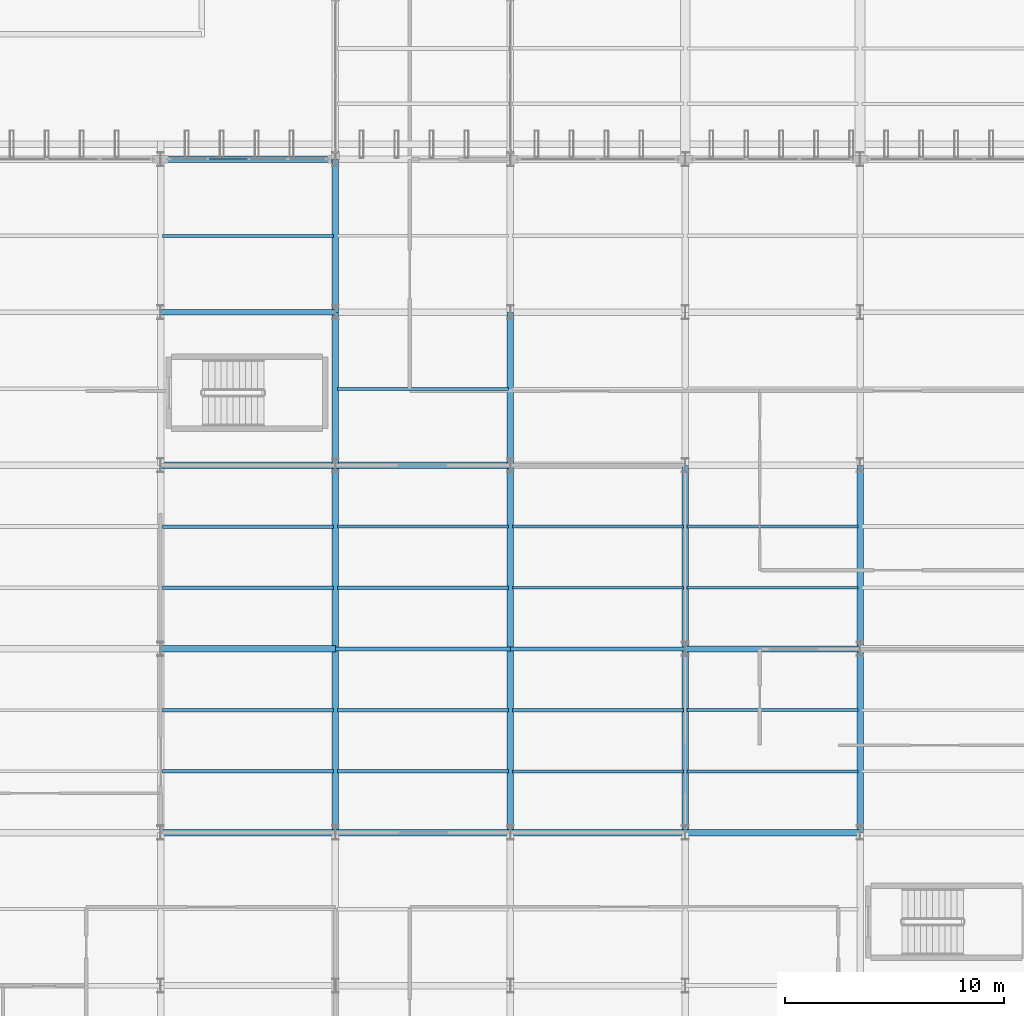
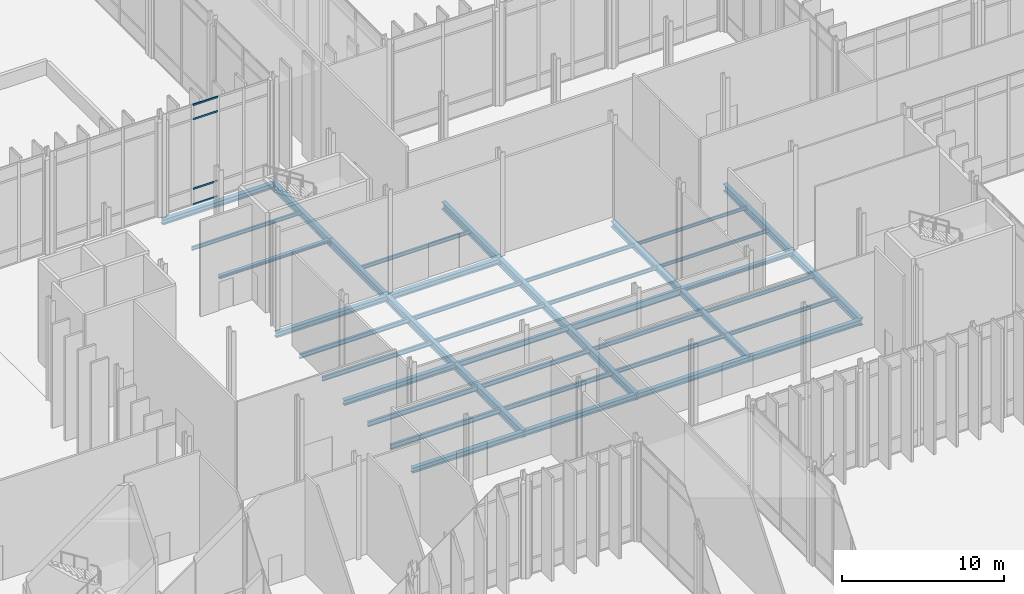
# One storey, part 62 of 176: 41 beams, 4 members, 1 element without a shape of its own.
"""IFC4 building model written with IfcOpenShell, lengths in metres."""

from ifc_helpers import new_model, si_unit, direction, frame, origin, origin_2d, place, context, subcontext, project, spatial, hollow_rectangle, i_section, extrude, material, layer, layer_set, material_profile, profile_set, type_object, element, aggregate, save


model = new_model("IFC4")

# Units and contexts
model_context = context("Model", 3, precision=1e-05, world=origin(), true_north=direction((0.0, 1.0)))
body_context = subcontext(model_context, "Body", "Model", "MODEL_VIEW")
ifc_project = project(units=[si_unit("LENGTHUNIT", "METRE"), si_unit("AREAUNIT", "SQUARE_METRE"), si_unit("VOLUMEUNIT", "CUBIC_METRE"), si_unit("PLANEANGLEUNIT", "RADIAN"), si_unit("MASSUNIT", "GRAM", prefix="KILO")], contexts=[model_context])

# Site, building, storey
site_placement = place(None, origin())
site = spatial("IfcSite", under=ifc_project, at=site_placement, CompositionType="ELEMENT")
building_placement = place(site_placement, origin())
building = spatial("IfcBuilding", under=site, at=building_placement, Name="Vekula Escarpment Museum", CompositionType="ELEMENT")
storey_placement = place(building_placement, origin())
storey = spatial("IfcBuildingStorey", under=building, at=storey_placement, Name="L01", CompositionType="ELEMENT", Elevation=0.0)

# Beams
ifc_material_1 = material(Name="Steel S355", Category="steel")
ifc_material_profile_1 = material_profile(ifc_material_1, i_section(OverallWidth=0.280029296875, OverallDepth=0.280029296875, WebThickness=0.010498046875, FlangeThickness=0.01806640625, FilletRadius=0.02392578125, at=origin_2d()), Name="HEB 280")
ifc_profile_set_1 = profile_set([ifc_material_profile_1], Name="Steel S355")
beam_type_1 = type_object("IfcBeamType", Name="BM-GIRD-HEB280", PredefinedType="BEAM", material=ifc_profile_set_1)
beam_1_placement = place(storey_placement, frame((110.0, 68.0, -0.43994140625), z_axis=(1.0, 0.0, 0.0), x_axis=(0.0, 1.0, 0.0)))
element("IfcBeam", 1, at=beam_1_placement, inside=storey, type_object=beam_type_1, Name="Beam X L01 0197", PredefinedType="BEAM", context=body_context, shape_type="SweptSolid", body=[
    extrude(i_section(OverallWidth=0.280029296875, OverallDepth=0.280029296875, WebThickness=0.010498046875, FlangeThickness=0.01806640625, FilletRadius=0.02392578125, at=origin_2d()), origin(), (0.0, 0.0, 1.0), 8.0),
])
ifc_material_2 = material(Name="Steel S355", Category="steel")
ifc_material_profile_2 = material_profile(ifc_material_2, i_section(OverallWidth=0.300048828125, OverallDepth=0.39990234375, WebThickness=0.013427734375, FlangeThickness=0.02392578125, FilletRadius=0.027099609375, at=origin_2d()), Name="HEB 400")
ifc_profile_set_2 = profile_set([ifc_material_profile_2], Name="Steel S355")
beam_type_2 = type_object("IfcBeamType", Name="BM-GIRD-HEB400", PredefinedType="BEAM", material=ifc_profile_set_2)
beam_2_placement = place(storey_placement, frame((86.0, 68.0, -0.5), z_axis=(1.0, 0.0, 0.0), x_axis=(0.0, 1.0, 0.0)))
element("IfcBeam", 2, at=beam_2_placement, inside=storey, type_object=beam_type_2, Name="Beam X L01 0194", PredefinedType="BEAM", context=body_context, shape_type="SweptSolid", body=[
    extrude(i_section(OverallWidth=0.300048828125, OverallDepth=0.39990234375, WebThickness=0.013427734375, FlangeThickness=0.02392578125, FilletRadius=0.027099609375, at=origin_2d()), origin(), (0.0, 0.0, 1.0), 8.0),
])
ifc_material_3 = material(Name="Steel S355", Category="steel")
ifc_material_profile_3 = material_profile(ifc_material_3, i_section(OverallWidth=0.300048828125, OverallDepth=0.550048828125, WebThickness=0.014892578125, FlangeThickness=0.029052734375, FilletRadius=0.027099609375, at=origin_2d()), Name="HEB 550")
ifc_profile_set_3 = profile_set([ifc_material_profile_3], Name="Steel S355")
beam_type_3 = type_object("IfcBeamType", Name="BM-GIRD-HEB550", PredefinedType="BEAM", material=ifc_profile_set_3)
for number, where, z_axis, x_axis, name in (
    (3, (94.0, 59.60009765625, -0.574951171875), (0.0, 1.0, 0.0), (-1.0, 0.0, 0.0), "Beam Y L01 0584"),
    (4, (94.0, 68.0, -0.574951171875), (0.0, 1.0, 0.0), (-1.0, 0.0, 0.0), "Beam Y L01 0585"),
):
    element("IfcBeam", number, at=place(storey_placement, frame(where, z_axis=z_axis, x_axis=x_axis)), inside=storey, type_object=beam_type_3, Name=name, PredefinedType="BEAM", context=body_context, shape_type="SweptSolid", body=[
        extrude(i_section(OverallWidth=0.300048828125, OverallDepth=0.550048828125, WebThickness=0.014892578125, FlangeThickness=0.029052734375, FilletRadius=0.027099609375, at=origin_2d()), origin(), (0.0, 0.0, 1.0), 8.39990234375),
    ])
for number, where, z_axis, x_axis, name in (
    (5, (94.0, 76.39990234375, -0.574951171875), (0.0, 1.0, 0.0), (-1.0, 0.0, 0.0), "Beam Y L01 0586"),
    (6, (94.0, 83.39990234375, -0.574951171875), (0.0, 1.0, 0.0), (-1.0, 0.0, 0.0), "Beam Y L01 0587"),
):
    element("IfcBeam", number, at=place(storey_placement, frame(where, z_axis=z_axis, x_axis=x_axis)), inside=storey, type_object=beam_type_3, Name=name, PredefinedType="BEAM", context=body_context, shape_type="SweptSolid", body=[
        extrude(i_section(OverallWidth=0.300048828125, OverallDepth=0.550048828125, WebThickness=0.014892578125, FlangeThickness=0.029052734375, FilletRadius=0.027099609375, at=origin_2d()), origin(), (0.0, 0.0, 1.0), 7.0),
    ])
for number, where, z_axis, x_axis, name in (
    (7, (102.0, 59.60009765625, -0.574951171875), (0.0, 1.0, 0.0), (-1.0, 0.0, 0.0), "Beam Y L01 0602"),
    (8, (102.0, 68.0, -0.574951171875), (0.0, 1.0, 0.0), (-1.0, 0.0, 0.0), "Beam Y L01 0603"),
):
    element("IfcBeam", number, at=place(storey_placement, frame(where, z_axis=z_axis, x_axis=x_axis)), inside=storey, type_object=beam_type_3, Name=name, PredefinedType="BEAM", context=body_context, shape_type="SweptSolid", body=[
        extrude(i_section(OverallWidth=0.300048828125, OverallDepth=0.550048828125, WebThickness=0.014892578125, FlangeThickness=0.029052734375, FilletRadius=0.027099609375, at=origin_2d()), origin(), (0.0, 0.0, 1.0), 8.39990234375),
    ])
beam_3_placement = place(storey_placement, frame((102.0, 76.39990234375, -0.574951171875), z_axis=(0.0, 1.0, 0.0), x_axis=(-1.0, 0.0, 0.0)))
element("IfcBeam", 9, at=beam_3_placement, inside=storey, type_object=beam_type_3, Name="Beam Y L01 0604", PredefinedType="BEAM", context=body_context, shape_type="SweptSolid", body=[
    extrude(i_section(OverallWidth=0.300048828125, OverallDepth=0.550048828125, WebThickness=0.014892578125, FlangeThickness=0.029052734375, FilletRadius=0.027099609375, at=origin_2d()), origin(), (0.0, 0.0, 1.0), 7.0),
])
for number, where, z_axis, x_axis, name in (
    (10, (118.0, 59.60009765625, -0.574951171875), (0.0, 1.0, 0.0), (-1.0, 0.0, 0.0), "Beam Y L01 0638"),
    (11, (118.0, 68.0, -0.574951171875), (0.0, 1.0, 0.0), (-1.0, 0.0, 0.0), "Beam Y L01 0639"),
):
    element("IfcBeam", number, at=place(storey_placement, frame(where, z_axis=z_axis, x_axis=x_axis)), inside=storey, type_object=beam_type_3, Name=name, PredefinedType="BEAM", context=body_context, shape_type="SweptSolid", body=[
        extrude(i_section(OverallWidth=0.300048828125, OverallDepth=0.550048828125, WebThickness=0.014892578125, FlangeThickness=0.029052734375, FilletRadius=0.027099609375, at=origin_2d()), origin(), (0.0, 0.0, 1.0), 8.39990234375),
    ])
ifc_material_4 = material(Name="Steel S355", Category="steel")
ifc_material_profile_4 = material_profile(ifc_material_4, i_section(OverallWidth=0.179931640625, OverallDepth=0.39990234375, WebThickness=0.008544921875, FlangeThickness=0.013427734375, FilletRadius=0.02099609375, at=origin_2d()), Name="IPE 400")
ifc_profile_set_4 = profile_set([ifc_material_profile_4], Name="Steel S355")
beam_type_4 = type_object("IfcBeamType", Name="BM-GIRD-IPE400", PredefinedType="BEAM", material=ifc_profile_set_4)
beam_4_placement = place(storey_placement, frame((94.0, 68.0, -0.5), z_axis=(1.0, 0.0, 0.0), x_axis=(0.0, 1.0, 0.0)))
element("IfcBeam", 12, at=beam_4_placement, inside=storey, type_object=beam_type_4, Name="Beam X L01 0195", PredefinedType="BEAM", context=body_context, shape_type="SweptSolid", body=[
    extrude(i_section(OverallWidth=0.179931640625, OverallDepth=0.39990234375, WebThickness=0.008544921875, FlangeThickness=0.013427734375, FilletRadius=0.02099609375, at=origin_2d()), origin(), (0.0, 0.0, 1.0), 8.0),
])
ifc_material_5 = material(Name="Steel S355", Category="steel")
ifc_material_profile_5 = material_profile(ifc_material_5, i_section(OverallWidth=0.199951171875, OverallDepth=0.5, WebThickness=0.01025390625, FlangeThickness=0.01611328125, FilletRadius=0.02099609375, at=origin_2d()), Name="IPE 500")
ifc_profile_set_5 = profile_set([ifc_material_profile_5], Name="Steel S355")
beam_type_5 = type_object("IfcBeamType", Name="BM-GIRD-IPE500", PredefinedType="BEAM", material=ifc_profile_set_5)
beam_5_placement = place(storey_placement, frame((102.0, 68.0, -0.550048828125), z_axis=(1.0, 0.0, 0.0), x_axis=(0.0, 1.0, 0.0)))
element("IfcBeam", 13, at=beam_5_placement, inside=storey, type_object=beam_type_5, Name="Beam X L01 0196", PredefinedType="BEAM", context=body_context, shape_type="SweptSolid", body=[
    extrude(i_section(OverallWidth=0.199951171875, OverallDepth=0.5, WebThickness=0.01025390625, FlangeThickness=0.01611328125, FilletRadius=0.02099609375, at=origin_2d()), origin(), (0.0, 0.0, 1.0), 8.0),
])
ifc_material_6 = material(Name="Steel S355", Category="steel")
ifc_material_profile_6 = material_profile(ifc_material_6, i_section(OverallWidth=0.1201171875, OverallDepth=0.239990234375, WebThickness=0.006103515625, FlangeThickness=0.009765625, FilletRadius=0.014892578125, at=origin_2d()), Name="IPE 240")
ifc_profile_set_6 = profile_set([ifc_material_profile_6], Name="Steel S355")
beam_type_6 = type_object("IfcBeamType", Name="BM-JST-IPE240", PredefinedType="JOIST", material=ifc_profile_set_6)
for number, where, z_axis, x_axis, name in (
    (14, (110.090087890625, 70.800048828125, -0.419921875), (1.0, 0.0, 0.0), (0.0, 1.0, 0.0), "Secondary Joist L01 0367"),
    (15, (110.090087890625, 73.60009765625, -0.419921875), (1.0, 0.0, 0.0), (0.0, 1.0, 0.0), "Secondary Joist L01 0368"),
):
    element("IfcBeam", number, at=place(storey_placement, frame(where, z_axis=z_axis, x_axis=x_axis)), inside=storey, type_object=beam_type_6, Name=name, PredefinedType="JOIST", context=body_context, shape_type="SweptSolid", body=[
        extrude(i_section(OverallWidth=0.1201171875, OverallDepth=0.239990234375, WebThickness=0.006103515625, FlangeThickness=0.009765625, FilletRadius=0.014892578125, at=origin_2d()), origin(), (0.0, 0.0, 1.0), 7.81982421875),
    ])
ifc_material_7 = material(Name="Steel S355", Category="steel")
ifc_material_profile_7 = material_profile(ifc_material_7, i_section(OverallWidth=0.135009765625, OverallDepth=0.27001953125, WebThickness=0.006591796875, FlangeThickness=0.01025390625, FilletRadius=0.014892578125, at=origin_2d()), Name="IPE 270")
ifc_profile_set_7 = profile_set([ifc_material_profile_7], Name="Steel S355")
beam_type_7 = type_object("IfcBeamType", Name="BM-JST-IPE270", PredefinedType="JOIST", material=ifc_profile_set_7)
for number, where, z_axis, x_axis, name in (
    (16, (86.090087890625, 86.89990234375, -0.43505859375), (1.0, 0.0, 0.0), (0.0, 1.0, 0.0), "Secondary Joist L01 0281"),
    (17, (94.090087890625, 79.89990234375, -0.43505859375), (1.0, 0.0, 0.0), (0.0, 1.0, 0.0), "Secondary Joist L01 0306"),
    (18, (102.090087890625, 70.800048828125, -0.43505859375), (1.0, 0.0, 0.0), (0.0, 1.0, 0.0), "Secondary Joist L01 0336"),
    (19, (102.090087890625, 73.60009765625, -0.43505859375), (1.0, 0.0, 0.0), (0.0, 1.0, 0.0), "Secondary Joist L01 0337"),
    (20, (110.090087890625, 62.39990234375, -0.43505859375), (1.0, 0.0, 0.0), (0.0, 1.0, 0.0), "Secondary Joist L01 0365"),
    (21, (110.090087890625, 65.199951171875, -0.43505859375), (1.0, 0.0, 0.0), (0.0, 1.0, 0.0), "Secondary Joist L01 0366"),
):
    element("IfcBeam", number, at=place(storey_placement, frame(where, z_axis=z_axis, x_axis=x_axis)), inside=storey, type_object=beam_type_7, Name=name, PredefinedType="JOIST", context=body_context, shape_type="SweptSolid", body=[
        extrude(i_section(OverallWidth=0.135009765625, OverallDepth=0.27001953125, WebThickness=0.006591796875, FlangeThickness=0.01025390625, FilletRadius=0.014892578125, at=origin_2d()), origin(), (0.0, 0.0, 1.0), 7.81982421875),
    ])
ifc_material_8 = material(Name="Steel S355", Category="steel")
ifc_material_profile_8 = material_profile(ifc_material_8, i_section(OverallWidth=0.14990234375, OverallDepth=0.300048828125, WebThickness=0.007080078125, FlangeThickness=0.0107421875, FilletRadius=0.014892578125, at=origin_2d()), Name="IPE 300")
ifc_profile_set_8 = profile_set([ifc_material_profile_8], Name="Steel S355")
beam_type_8 = type_object("IfcBeamType", Name="BM-JST-IPE300", PredefinedType="JOIST", material=ifc_profile_set_8)
for number, where, z_axis, x_axis, name in (
    (22, (94.090087890625, 70.800048828125, -0.449951171875), (1.0, 0.0, 0.0), (0.0, 1.0, 0.0), "Secondary Joist L01 0304"),
    (23, (94.090087890625, 73.60009765625, -0.449951171875), (1.0, 0.0, 0.0), (0.0, 1.0, 0.0), "Secondary Joist L01 0305"),
    (24, (102.090087890625, 62.39990234375, -0.449951171875), (1.0, 0.0, 0.0), (0.0, 1.0, 0.0), "Secondary Joist L01 0334"),
    (25, (102.090087890625, 65.199951171875, -0.449951171875), (1.0, 0.0, 0.0), (0.0, 1.0, 0.0), "Secondary Joist L01 0335"),
):
    element("IfcBeam", number, at=place(storey_placement, frame(where, z_axis=z_axis, x_axis=x_axis)), inside=storey, type_object=beam_type_8, Name=name, PredefinedType="JOIST", context=body_context, shape_type="SweptSolid", body=[
        extrude(i_section(OverallWidth=0.14990234375, OverallDepth=0.300048828125, WebThickness=0.007080078125, FlangeThickness=0.0107421875, FilletRadius=0.014892578125, at=origin_2d()), origin(), (0.0, 0.0, 1.0), 7.81982421875),
    ])
ifc_material_9 = material(Name="Steel S355", Category="steel")
ifc_material_profile_9 = material_profile(ifc_material_9, i_section(OverallWidth=0.159912109375, OverallDepth=0.330078125, WebThickness=0.007568359375, FlangeThickness=0.011474609375, FilletRadius=0.01806640625, at=origin_2d()), Name="IPE 330")
ifc_profile_set_9 = profile_set([ifc_material_profile_9], Name="Steel S355")
beam_type_9 = type_object("IfcBeamType", Name="BM-JST-IPE330", PredefinedType="JOIST", material=ifc_profile_set_9)
for number, where, z_axis, x_axis, name in (
    (26, (86.090087890625, 70.800048828125, -0.465087890625), (1.0, 0.0, 0.0), (0.0, 1.0, 0.0), "Secondary Joist L01 0279"),
    (27, (86.090087890625, 73.60009765625, -0.465087890625), (1.0, 0.0, 0.0), (0.0, 1.0, 0.0), "Secondary Joist L01 0280"),
    (28, (94.090087890625, 62.39990234375, -0.465087890625), (1.0, 0.0, 0.0), (0.0, 1.0, 0.0), "Secondary Joist L01 0302"),
    (29, (94.090087890625, 65.199951171875, -0.465087890625), (1.0, 0.0, 0.0), (0.0, 1.0, 0.0), "Secondary Joist L01 0303"),
):
    element("IfcBeam", number, at=place(storey_placement, frame(where, z_axis=z_axis, x_axis=x_axis)), inside=storey, type_object=beam_type_9, Name=name, PredefinedType="JOIST", context=body_context, shape_type="SweptSolid", body=[
        extrude(i_section(OverallWidth=0.159912109375, OverallDepth=0.330078125, WebThickness=0.007568359375, FlangeThickness=0.011474609375, FilletRadius=0.01806640625, at=origin_2d()), origin(), (0.0, 0.0, 1.0), 7.81982421875),
    ])
ifc_material_10 = material(Name="Steel S355", Category="steel")
ifc_material_profile_10 = material_profile(ifc_material_10, i_section(OverallWidth=0.169921875, OverallDepth=0.360107421875, WebThickness=0.008056640625, FlangeThickness=0.0126953125, FilletRadius=0.01806640625, at=origin_2d()), Name="IPE 360")
ifc_profile_set_10 = profile_set([ifc_material_profile_10], Name="Steel S355")
beam_type_10 = type_object("IfcBeamType", Name="BM-JST-IPE360", PredefinedType="JOIST", material=ifc_profile_set_10)
for number, where, z_axis, x_axis, name in (
    (30, (86.090087890625, 62.39990234375, -0.47998046875), (1.0, 0.0, 0.0), (0.0, 1.0, 0.0), "Secondary Joist L01 0277"),
    (31, (86.090087890625, 65.199951171875, -0.47998046875), (1.0, 0.0, 0.0), (0.0, 1.0, 0.0), "Secondary Joist L01 0278"),
):
    element("IfcBeam", number, at=place(storey_placement, frame(where, z_axis=z_axis, x_axis=x_axis)), inside=storey, type_object=beam_type_10, Name=name, PredefinedType="JOIST", context=body_context, shape_type="SweptSolid", body=[
        extrude(i_section(OverallWidth=0.169921875, OverallDepth=0.360107421875, WebThickness=0.008056640625, FlangeThickness=0.0126953125, FilletRadius=0.01806640625, at=origin_2d()), origin(), (0.0, 0.0, 1.0), 7.81982421875),
    ])
ifc_material_11 = material(Name="Steel S355", Category="steel")
ifc_material_profile_11 = material_profile(ifc_material_11, i_section(OverallWidth=0.239990234375, OverallDepth=0.22998046875, WebThickness=0.007568359375, FlangeThickness=0.011962890625, FilletRadius=0.02099609375, at=origin_2d()), Name="HEA 240")
ifc_profile_set_11 = profile_set([ifc_material_profile_11], Name="Steel S355")
beam_type_11 = type_object("IfcBeamType", Name="BM-SPAN-HEA240", PredefinedType="SPANDREL", material=ifc_profile_set_11)
beam_6_placement = place(storey_placement, frame((86.0, 83.39990234375, -0.4150390625), z_axis=(1.0, 0.0, 0.0), x_axis=(0.0, 1.0, 0.0)))
element("IfcBeam", 32, at=beam_6_placement, inside=storey, type_object=beam_type_11, Name="Beam X L01 0240", PredefinedType="SPANDREL", context=body_context, shape_type="SweptSolid", body=[
    extrude(i_section(OverallWidth=0.239990234375, OverallDepth=0.22998046875, WebThickness=0.007568359375, FlangeThickness=0.011962890625, FilletRadius=0.02099609375, at=origin_2d()), origin(), (0.0, 0.0, 1.0), 8.0),
])
ifc_material_12 = material(Name="Steel S355", Category="steel")
ifc_material_profile_12 = material_profile(ifc_material_12, i_section(OverallWidth=0.300048828125, OverallDepth=0.389892578125, WebThickness=0.010986328125, FlangeThickness=0.01904296875, FilletRadius=0.027099609375, at=origin_2d()), Name="HEA 400")
ifc_profile_set_12 = profile_set([ifc_material_profile_12], Name="Steel S355")
beam_type_12 = type_object("IfcBeamType", Name="BM-SPAN-HEA400", PredefinedType="SPANDREL", material=ifc_profile_set_12)
for number, where, z_axis, x_axis, name in (
    (33, (86.0, 59.60009765625, -0.4951171875), (1.0, 0.0, 0.0), (0.0, 1.0, 0.0), "Beam X L01 0171"),
    (34, (94.0, 59.60009765625, -0.4951171875), (1.0, 0.0, 0.0), (0.0, 1.0, 0.0), "Beam X L01 0172"),
    (35, (102.0, 59.60009765625, -0.4951171875), (1.0, 0.0, 0.0), (0.0, 1.0, 0.0), "Beam X L01 0173"),
    (36, (110.0, 59.60009765625, -0.4951171875), (1.0, 0.0, 0.0), (0.0, 1.0, 0.0), "Beam X L01 0174"),
    (37, (86.0, 76.39990234375, -0.4951171875), (1.0, 0.0, 0.0), (0.0, 1.0, 0.0), "Beam X L01 0217"),
    (38, (94.0, 76.39990234375, -0.4951171875), (1.0, 0.0, 0.0), (0.0, 1.0, 0.0), "Beam X L01 0218"),
    (39, (86.0, 90.39990234375, -0.4951171875), (1.0, 0.0, 0.0), (0.0, 1.0, 0.0), "Beam X L01 0259"),
):
    element("IfcBeam", number, at=place(storey_placement, frame(where, z_axis=z_axis, x_axis=x_axis)), inside=storey, type_object=beam_type_12, Name=name, PredefinedType="SPANDREL", context=body_context, shape_type="SweptSolid", body=[
        extrude(i_section(OverallWidth=0.300048828125, OverallDepth=0.389892578125, WebThickness=0.010986328125, FlangeThickness=0.01904296875, FilletRadius=0.027099609375, at=origin_2d()), origin(), (0.0, 0.0, 1.0), 8.0),
    ])
ifc_material_13 = material(Name="Steel S355", Category="steel")
ifc_material_profile_13 = material_profile(ifc_material_13, i_section(OverallWidth=0.300048828125, OverallDepth=0.43994140625, WebThickness=0.011474609375, FlangeThickness=0.02099609375, FilletRadius=0.027099609375, at=origin_2d()), Name="HEA 450")
ifc_profile_set_13 = profile_set([ifc_material_profile_13], Name="Steel S355")
beam_type_13 = type_object("IfcBeamType", Name="BM-SPAN-HEA450", PredefinedType="SPANDREL", material=ifc_profile_set_13)
for number, where, z_axis, x_axis, name in (
    (40, (110.0, 59.60009765625, -0.52001953125), (0.0, 1.0, 0.0), (-1.0, 0.0, 0.0), "Beam Y L01 0620"),
    (41, (110.0, 68.0, -0.52001953125), (0.0, 1.0, 0.0), (-1.0, 0.0, 0.0), "Beam Y L01 0621"),
):
    element("IfcBeam", number, at=place(storey_placement, frame(where, z_axis=z_axis, x_axis=x_axis)), inside=storey, type_object=beam_type_13, Name=name, PredefinedType="SPANDREL", context=body_context, shape_type="SweptSolid", body=[
        extrude(i_section(OverallWidth=0.300048828125, OverallDepth=0.43994140625, WebThickness=0.011474609375, FlangeThickness=0.02099609375, FilletRadius=0.027099609375, at=origin_2d()), origin(), (0.0, 0.0, 1.0), 8.39990234375),
    ])

# Curtain wall, members
ifc_material_14 = material(Name="Aluminium thermally broken framing", Category="aluminium")
ifc_layer = layer(ifc_material_14, 0.14990234375)
ifc_layer_set = layer_set([ifc_layer], Name="Aluminium thermally broken framing")
curtain_wall_type = type_object("IfcCurtainWallType", Name="CW-SYS-09", PredefinedType="NOTDEFINED", material=ifc_layer_set)
curtain_wall_placement = place(storey_placement, origin())
curtain_wall = element("IfcCurtainWall", 42, at=curtain_wall_placement, inside=storey, type_object=curtain_wall_type, Name="Curtain Wall CW-L01-039", PredefinedType="NOTDEFINED")
ifc_material_15 = material(Name="Aluminium anodized transom", Category="aluminium")
ifc_material_profile_14 = material_profile(ifc_material_15, hollow_rectangle(XDim=0.06494140625, YDim=0.139892578125, WallThickness=0.00390625, InnerFilletRadius=0.00390625, OuterFilletRadius=0.008056640625, at=origin_2d()), Name="ALU 140x65x4")
ifc_profile_set_14 = profile_set([ifc_material_profile_14], Name="Aluminium anodized transom")
member_type = type_object("IfcMemberType", Name="CW-TRN-140", PredefinedType="USERDEFINED", material=ifc_profile_set_14)
member_1_placement = place(storey_placement, frame((89.967529296875, 90.39990234375, 0.032470703125), z_axis=(-1.0, 0.0, 0.0), x_axis=(0.0, -1.0, 0.0)))
member_1 = element("IfcMember", 43, at=member_1_placement, type_object=member_type, Name="CW-09 transom 3.1", ObjectType="TRANSOM", PredefinedType="USERDEFINED", context=body_context, shape_type="SweptSolid", body=[
    extrude(hollow_rectangle(XDim=0.06494140625, YDim=0.139892578125, WallThickness=0.00390625, InnerFilletRadius=0.00390625, OuterFilletRadius=0.008056640625, at=origin_2d()), origin(), (0.0, 0.0, 1.0), 1.755126953125),
])
member_2_placement = place(storey_placement, frame((89.967529296875, 90.39990234375, 1.199951171875), z_axis=(-1.0, 0.0, 0.0), x_axis=(0.0, -1.0, 0.0)))
member_2 = element("IfcMember", 44, at=member_2_placement, type_object=member_type, Name="CW-09 transom 3.2", ObjectType="TRANSOM", PredefinedType="USERDEFINED", context=body_context, shape_type="SweptSolid", body=[
    extrude(hollow_rectangle(XDim=0.06494140625, YDim=0.139892578125, WallThickness=0.00390625, InnerFilletRadius=0.00390625, OuterFilletRadius=0.008056640625, at=origin_2d()), origin(), (0.0, 0.0, 1.0), 1.755126953125),
])
member_3_placement = place(storey_placement, frame((89.967529296875, 90.39990234375, 6.43994140625), z_axis=(-1.0, 0.0, 0.0), x_axis=(0.0, -1.0, 0.0)))
member_3 = element("IfcMember", 45, at=member_3_placement, type_object=member_type, Name="CW-09 transom 3.3", ObjectType="TRANSOM", PredefinedType="USERDEFINED", context=body_context, shape_type="SweptSolid", body=[
    extrude(hollow_rectangle(XDim=0.06494140625, YDim=0.139892578125, WallThickness=0.00390625, InnerFilletRadius=0.00390625, OuterFilletRadius=0.008056640625, at=origin_2d()), origin(), (0.0, 0.0, 1.0), 1.755126953125),
])
member_4_placement = place(storey_placement, frame((89.967529296875, 90.39990234375, 7.507568359375), z_axis=(-1.0, 0.0, 0.0), x_axis=(0.0, -1.0, 0.0)))
member_4 = element("IfcMember", 46, at=member_4_placement, type_object=member_type, Name="CW-09 transom 3.4", ObjectType="TRANSOM", PredefinedType="USERDEFINED", context=body_context, shape_type="SweptSolid", body=[
    extrude(hollow_rectangle(XDim=0.06494140625, YDim=0.139892578125, WallThickness=0.00390625, InnerFilletRadius=0.00390625, OuterFilletRadius=0.008056640625, at=origin_2d()), origin(), (0.0, 0.0, 1.0), 1.755126953125),
])
aggregate(curtain_wall, [member_1, member_2, member_3, member_4])

save(model, "model.ifc")
